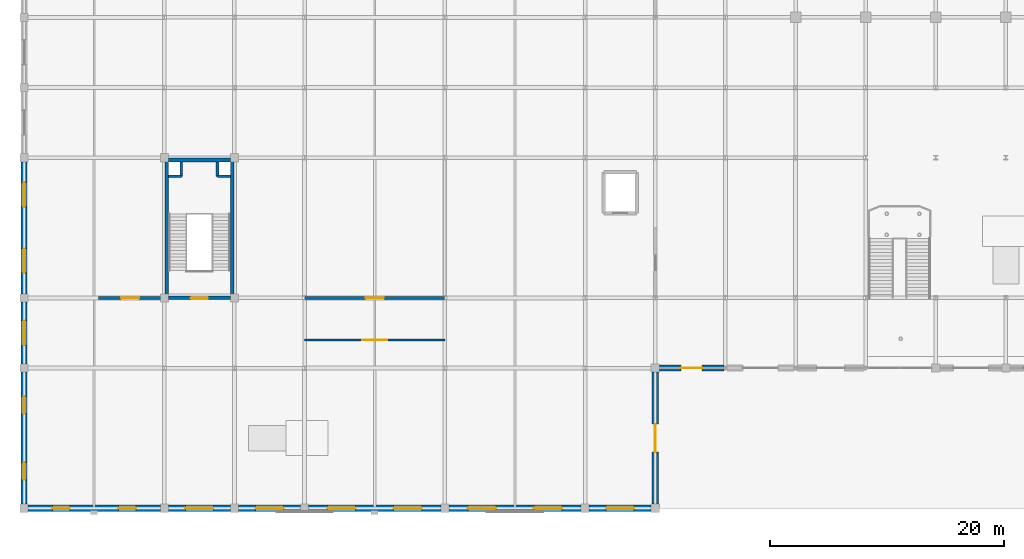
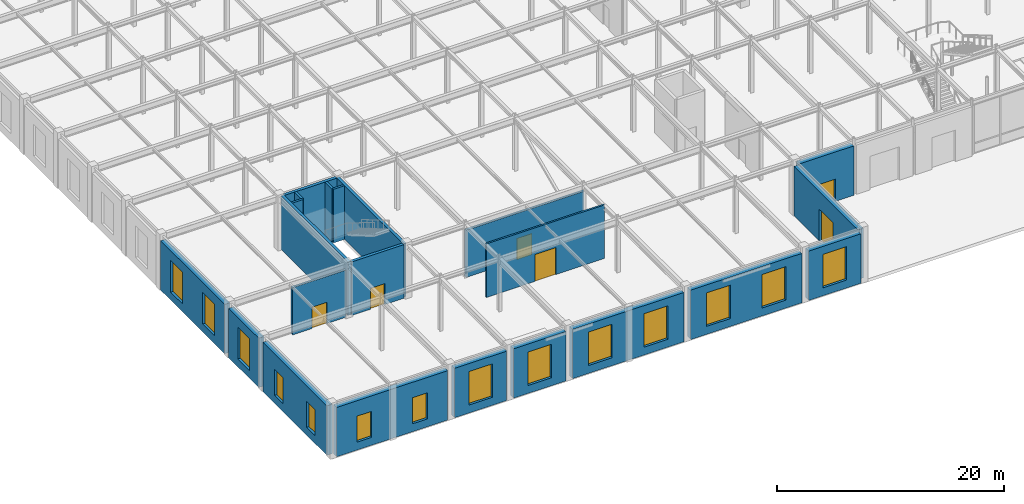
# One storey, part 40 of 51: 22 walls, 14 windows, 6 doors, 20 openings.
"""IFC4 building model written with IfcOpenShell, lengths in metres."""

from ifc_helpers import new_model, si_unit, direction, frame, frame_2d, origin, place, context, subcontext, project, spatial, rectangle, extrude, material, layer, layer_set, type_object, element, fill, save


model = new_model("IFC4")

# Units and contexts
model_context = context("Model", 3, precision=1e-05, world=origin(), true_north=direction((0.0, 1.0)))
body_context = subcontext(model_context, "Body", "Model", "MODEL_VIEW")
ifc_project = project(units=[si_unit("LENGTHUNIT", "METRE"), si_unit("AREAUNIT", "SQUARE_METRE"), si_unit("VOLUMEUNIT", "CUBIC_METRE"), si_unit("PLANEANGLEUNIT", "RADIAN"), si_unit("MASSUNIT", "GRAM", prefix="KILO")], contexts=[model_context])

# Site, building, storey
site_placement = place(None, origin())
site = spatial("IfcSite", under=ifc_project, at=site_placement, CompositionType="ELEMENT")
building_placement = place(site_placement, origin())
building = spatial("IfcBuilding", under=site, at=building_placement, Name="Zlatovratsky Civic Hall", CompositionType="ELEMENT")
storey_placement = place(building_placement, origin())
storey = spatial("IfcBuildingStorey", under=building, at=storey_placement, Name="L01", CompositionType="ELEMENT", Elevation=0.0)

# Wall, opening, door
ifc_material_1 = material(Name="Acoustic ceramic blockwork", Category="masonry")
ifc_layer_1 = layer(ifc_material_1, 0.179931640625)
ifc_layer_set_1 = layer_set([ifc_layer_1], Name="Acoustic ceramic blockwork")
wall_type_1 = type_object("IfcWallType", Name="Wall_AcousticChamberPartition_180", PredefinedType="PARTITIONING", material=ifc_layer_set_1)
wall_1_placement = place(storey_placement, frame((24.0, 14.39990234375, 0.0), z_axis=(0.0, 0.0, 1.0), x_axis=(1.0, 0.0, 0.0)))
wall_1 = element("IfcWall", 1, at=wall_1_placement, inside=storey, type_object=wall_type_1, Name="WL-6068", PredefinedType="PARTITIONING", context=body_context, shape_type="SweptSolid", body=[
    extrude(rectangle(XDim=12.0, YDim=0.179931640625, at=frame_2d((6.0, 0.0))), origin(), (0.0, 0.0, 1.0), 5.760009765625),
])
opening_1_placement = place(wall_1_placement, frame((4.949951171875, 0.0, 0.0)))
opening_1 = element("IfcOpeningElement", 2, at=opening_1_placement, cuts=wall_1, Name="Opening D-11", PredefinedType="OPENING", context=body_context, shape_type="SweptSolid", body=[
    extrude(rectangle(XDim=2.10009765625, YDim=2.89990234375, at=frame_2d((1.050048828125, 1.449951171875))), frame((0.0, 0.10498046875, 0.0), z_axis=(0.0, -1.0, 0.0), x_axis=(1.0, 0.0, 0.0)), (0.0, 0.0, 1.0), 0.209716796875),
])
ifc_material_2 = material(Name="Solid oak joinery in steel frame", Category="steel")
door_type_1 = type_object("IfcDoorType", Name="Door_ChamberFoyerDouble_2100x2900", OperationType="DOUBLE_DOOR_SINGLE_SWING", PredefinedType="DOOR", material=ifc_material_2)
door_1_placement = place(opening_1_placement, origin())
door_1 = element("IfcDoor", 3, at=door_1_placement, inside=storey, type_object=door_type_1, Name="DR-5229", OperationType="DOUBLE_DOOR_SINGLE_SWING", OverallHeight=2.89990234375, OverallWidth=2.10009765625, PredefinedType="DOOR", context=body_context, shape_type="SweptSolid", body=[
    extrude(rectangle(XDim=2.10009765625, YDim=2.89990234375, at=frame_2d((1.050048828125, 1.449951171875))), frame((0.0, 0.02490234375, 0.0), z_axis=(0.0, -1.0, 0.0), x_axis=(1.0, 0.0, 0.0)), (0.0, 0.0, 1.0), 0.050048828125),
])
fill(opening_1, door_1)

ifc_layer_2 = layer(ifc_material_1, 0.260009765625)
ifc_layer_set_2 = layer_set([ifc_layer_2], Name="Acoustic ceramic blockwork")
wall_type_2 = type_object("IfcWallType", Name="Wall_ArchiveCompartment_260", PredefinedType="PARTITIONING", material=ifc_layer_set_2)
wall_2_placement = place(storey_placement, frame((24.0, 18.0, 0.0), z_axis=(0.0, 0.0, 1.0), x_axis=(1.0, 0.0, 0.0)))
wall_2 = element("IfcWall", 4, at=wall_2_placement, inside=storey, type_object=wall_type_2, Name="WL-6074", PredefinedType="PARTITIONING", context=body_context, shape_type="SweptSolid", body=[
    extrude(rectangle(XDim=12.0, YDim=0.260009765625, at=frame_2d((6.0, 0.0))), origin(), (0.0, 0.0, 1.0), 5.076904296875),
])
opening_2_placement = place(wall_2_placement, frame((5.22509765625, 0.0, 0.0)))
opening_2 = element("IfcOpeningElement", 5, at=opening_2_placement, cuts=wall_2, Name="Opening D-15", PredefinedType="OPENING", context=body_context, shape_type="SweptSolid", body=[
    extrude(rectangle(XDim=1.550048828125, YDim=2.300048828125, at=frame_2d((0.77490234375, 1.14990234375))), frame((0.0, 0.14501953125, 0.0), z_axis=(0.0, -1.0, 0.0), x_axis=(1.0, 0.0, 0.0)), (0.0, 0.0, 1.0), 0.289794921875),
])
ifc_material_3 = material(Name="Insulated painted fire-rated steel leaf", Category="steel")
door_type_2 = type_object("IfcDoorType", Name="Door_CompactArchiveFire_1550x2300", OperationType="DOUBLE_DOOR_SINGLE_SWING", PredefinedType="DOOR", material=ifc_material_3)
door_2_placement = place(opening_2_placement, origin())
door_2 = element("IfcDoor", 6, at=door_2_placement, inside=storey, type_object=door_type_2, Name="DR-5235", OperationType="DOUBLE_DOOR_SINGLE_SWING", OverallHeight=2.300048828125, OverallWidth=1.550048828125, PredefinedType="DOOR", context=body_context, shape_type="SweptSolid", body=[
    extrude(rectangle(XDim=1.550048828125, YDim=2.300048828125, at=frame_2d((0.77490234375, 1.14990234375))), frame((0.0, 0.02490234375, 0.0), z_axis=(0.0, -1.0, 0.0), x_axis=(1.0, 0.0, 0.0)), (0.0, 0.0, 1.0), 0.050048828125),
])
fill(opening_2, door_2)

wall_3_placement = place(storey_placement, frame((6.35009765625, 18.0, 0.0), z_axis=(0.0, 0.0, 1.0), x_axis=(1.0, 0.0, 0.0)))
wall_3 = element("IfcWall", 7, at=wall_3_placement, inside=storey, type_object=wall_type_2, Name="WL-6088", PredefinedType="PARTITIONING", context=body_context, shape_type="SweptSolid", body=[
    extrude(rectangle(XDim=5.449951171875, YDim=0.260009765625, at=frame_2d((2.72509765625, 0.0))), origin(), (0.0, 0.0, 1.0), 5.076904296875),
])
opening_3_placement = place(wall_3_placement, frame((1.949951171875, 0.0, 0.0)))
opening_3 = element("IfcOpeningElement", 8, at=opening_3_placement, cuts=wall_3, Name="Opening D-15", PredefinedType="OPENING", context=body_context, shape_type="SweptSolid", body=[
    extrude(rectangle(XDim=1.550048828125, YDim=2.300048828125, at=frame_2d((0.77490234375, 1.14990234375))), frame((0.0, 0.14501953125, 0.0), z_axis=(0.0, -1.0, 0.0), x_axis=(1.0, 0.0, 0.0)), (0.0, 0.0, 1.0), 0.289794921875),
])
door_3_placement = place(opening_3_placement, origin())
door_3 = element("IfcDoor", 9, at=door_3_placement, inside=storey, type_object=door_type_2, Name="DR-5249", OperationType="DOUBLE_DOOR_SINGLE_SWING", OverallHeight=2.300048828125, OverallWidth=1.550048828125, PredefinedType="DOOR", context=body_context, shape_type="SweptSolid", body=[
    extrude(rectangle(XDim=1.550048828125, YDim=2.300048828125, at=frame_2d((0.77490234375, 1.14990234375))), frame((0.0, 0.02490234375, 0.0), z_axis=(0.0, -1.0, 0.0), x_axis=(1.0, 0.0, 0.0)), (0.0, 0.0, 1.0), 0.050048828125),
])
fill(opening_3, door_3)

# Wall, openings, windows
ifc_layer_3 = layer(ifc_material_1, 0.39990234375, Name="Backing")
ifc_material_4 = material(Name="Polished Karelian granite ashlar", Category="masonry")
ifc_layer_4 = layer(ifc_material_4, 0.139892578125, Name="Finish")
ifc_layer_set_3 = layer_set([ifc_layer_3, ifc_layer_4], Name="Acoustic ceramic blockwork")
wall_type_3 = type_object("IfcWallType", Name="Wall_PodiumGraniteArcade_540", PredefinedType="SOLIDWALL", material=ifc_layer_set_3)
wall_4_placement = place(storey_placement, frame((0.35009765625, 0.0, 0.0), z_axis=(0.0, 0.0, 1.0), x_axis=(1.0, 0.0, 0.0)))
wall_4 = element("IfcWall", 10, at=wall_4_placement, inside=storey, type_object=wall_type_3, Name="WL-0082", PredefinedType="SOLIDWALL", context=body_context, shape_type="SweptSolid", body=[
    extrude(rectangle(XDim=11.2998046875, YDim=0.5400390625, at=frame_2d((5.64990234375, 0.0))), origin(), (0.0, 0.0, 1.0), 5.31005859375),
])
opening_4_placement = place(wall_4_placement, frame((2.074951171875, 0.0, 0.85009765625)))
opening_4 = element("IfcOpeningElement", 11, at=opening_4_placement, cuts=wall_4, Name="Opening WN-27", PredefinedType="OPENING", context=body_context, shape_type="SweptSolid", body=[
    extrude(rectangle(XDim=1.5, YDim=2.800048828125, at=frame_2d((0.75, 1.39990234375))), frame((0.0, 0.284912109375, 0.0), z_axis=(0.0, -1.0, 0.0), x_axis=(1.0, 0.0, 0.0)), (0.0, 0.0, 1.0), 0.56982421875),
])
opening_5_placement = place(wall_4_placement, frame((7.72509765625, 0.0, 0.85009765625)))
opening_5 = element("IfcOpeningElement", 12, at=opening_5_placement, cuts=wall_4, Name="Opening WN-27", PredefinedType="OPENING", context=body_context, shape_type="SweptSolid", body=[
    extrude(rectangle(XDim=1.5, YDim=2.800048828125, at=frame_2d((0.75, 1.39990234375))), frame((0.0, 0.284912109375, 0.0), z_axis=(0.0, -1.0, 0.0), x_axis=(1.0, 0.0, 0.0)), (0.0, 0.0, 1.0), 0.56982421875),
])
ifc_material_5 = material(Name="Low-E laminated double glazing", Category="glass")
window_type_1 = type_object("IfcWindowType", Name="Window_CornerBastionPodium_1500x2800", PartitioningType="SINGLE_PANEL", PredefinedType="WINDOW", material=ifc_material_5)
window_1_placement = place(opening_4_placement, origin())
window_1 = element("IfcWindow", 13, at=window_1_placement, inside=storey, type_object=window_type_1, Name="WN-0001", OverallHeight=2.800048828125, OverallWidth=1.5, PartitioningType="SINGLE_PANEL", PredefinedType="WINDOW", context=body_context, shape_type="SweptSolid", body=[
    extrude(rectangle(XDim=1.5, YDim=2.800048828125, at=frame_2d((0.75, 1.39990234375))), frame((0.0, 0.030029296875, 0.0), z_axis=(0.0, -1.0, 0.0), x_axis=(1.0, 0.0, 0.0)), (0.0, 0.0, 1.0), 0.06005859375),
])
fill(opening_4, window_1)
window_2_placement = place(opening_5_placement, origin())
window_2 = element("IfcWindow", 14, at=window_2_placement, inside=storey, type_object=window_type_1, Name="WN-0002", OverallHeight=2.800048828125, OverallWidth=1.5, PartitioningType="SINGLE_PANEL", PredefinedType="WINDOW", context=body_context, shape_type="SweptSolid", body=[
    extrude(rectangle(XDim=1.5, YDim=2.800048828125, at=frame_2d((0.75, 1.39990234375))), frame((0.0, 0.030029296875, 0.0), z_axis=(0.0, -1.0, 0.0), x_axis=(1.0, 0.0, 0.0)), (0.0, 0.0, 1.0), 0.06005859375),
])
fill(opening_5, window_2)

# Wall, opening, window
wall_5_placement = place(storey_placement, frame((12.35009765625, 0.0, 0.0), z_axis=(0.0, 0.0, 1.0), x_axis=(1.0, 0.0, 0.0)))
wall_5 = element("IfcWall", 15, at=wall_5_placement, inside=storey, type_object=wall_type_3, Name="WL-0083", PredefinedType="SOLIDWALL", context=body_context, shape_type="SweptSolid", body=[
    extrude(rectangle(XDim=5.2998046875, YDim=0.5400390625, at=frame_2d((2.64990234375, 0.0))), origin(), (0.0, 0.0, 1.0), 5.31005859375),
])
opening_6_placement = place(wall_5_placement, frame((1.449951171875, 0.0, 0.85009765625)))
opening_6 = element("IfcOpeningElement", 16, at=opening_6_placement, cuts=wall_5, Name="Opening WN-01", PredefinedType="OPENING", context=body_context, shape_type="SweptSolid", body=[
    extrude(rectangle(XDim=2.39990234375, YDim=3.60009765625, at=frame_2d((1.199951171875, 1.800048828125))), frame((0.0, 0.284912109375, 0.0), z_axis=(0.0, -1.0, 0.0), x_axis=(1.0, 0.0, 0.0)), (0.0, 0.0, 1.0), 0.56982421875),
])
window_type_2 = type_object("IfcWindowType", Name="Window_GroundArcadeTall_2400x3600", PartitioningType="SINGLE_PANEL", PredefinedType="WINDOW", material=ifc_material_5)
window_3_placement = place(opening_6_placement, origin())
window_3 = element("IfcWindow", 17, at=window_3_placement, inside=storey, type_object=window_type_2, Name="WN-0003", OverallHeight=3.60009765625, OverallWidth=2.39990234375, PartitioningType="SINGLE_PANEL", PredefinedType="WINDOW", context=body_context, shape_type="SweptSolid", body=[
    extrude(rectangle(XDim=2.39990234375, YDim=3.60009765625, at=frame_2d((1.199951171875, 1.800048828125))), frame((0.0, 0.030029296875, 0.0), z_axis=(0.0, -1.0, 0.0), x_axis=(1.0, 0.0, 0.0)), (0.0, 0.0, 1.0), 0.06005859375),
])
fill(opening_6, window_3)

wall_6_placement = place(storey_placement, frame((18.35009765625, 0.0, 0.0), z_axis=(0.0, 0.0, 1.0), x_axis=(1.0, 0.0, 0.0)))
wall_6 = element("IfcWall", 18, at=wall_6_placement, inside=storey, type_object=wall_type_3, Name="WL-0084", PredefinedType="SOLIDWALL", context=body_context, shape_type="SweptSolid", body=[
    extrude(rectangle(XDim=5.2998046875, YDim=0.5400390625, at=frame_2d((2.64990234375, 0.0))), origin(), (0.0, 0.0, 1.0), 5.31005859375),
])
opening_7_placement = place(wall_6_placement, frame((1.449951171875, 0.0, 0.85009765625)))
opening_7 = element("IfcOpeningElement", 19, at=opening_7_placement, cuts=wall_6, Name="Opening WN-01", PredefinedType="OPENING", context=body_context, shape_type="SweptSolid", body=[
    extrude(rectangle(XDim=2.39990234375, YDim=3.60009765625, at=frame_2d((1.199951171875, 1.800048828125))), frame((0.0, 0.284912109375, 0.0), z_axis=(0.0, -1.0, 0.0), x_axis=(1.0, 0.0, 0.0)), (0.0, 0.0, 1.0), 0.56982421875),
])
window_4_placement = place(opening_7_placement, origin())
window_4 = element("IfcWindow", 20, at=window_4_placement, inside=storey, type_object=window_type_2, Name="WN-0004", OverallHeight=3.60009765625, OverallWidth=2.39990234375, PartitioningType="SINGLE_PANEL", PredefinedType="WINDOW", context=body_context, shape_type="SweptSolid", body=[
    extrude(rectangle(XDim=2.39990234375, YDim=3.60009765625, at=frame_2d((1.199951171875, 1.800048828125))), frame((0.0, 0.030029296875, 0.0), z_axis=(0.0, -1.0, 0.0), x_axis=(1.0, 0.0, 0.0)), (0.0, 0.0, 1.0), 0.06005859375),
])
fill(opening_7, window_4)

# Wall, openings, windows
wall_7_placement = place(storey_placement, frame((24.35009765625, 0.0, 0.0), z_axis=(0.0, 0.0, 1.0), x_axis=(1.0, 0.0, 0.0)))
wall_7 = element("IfcWall", 21, at=wall_7_placement, inside=storey, type_object=wall_type_3, Name="WL-0085", PredefinedType="SOLIDWALL", context=body_context, shape_type="SweptSolid", body=[
    extrude(rectangle(XDim=11.2998046875, YDim=0.5400390625, at=frame_2d((5.64990234375, 0.0))), origin(), (0.0, 0.0, 1.0), 5.31005859375),
])
opening_8_placement = place(wall_7_placement, frame((1.625, 0.0, 0.85009765625)))
opening_8 = element("IfcOpeningElement", 22, at=opening_8_placement, cuts=wall_7, Name="Opening WN-01", PredefinedType="OPENING", context=body_context, shape_type="SweptSolid", body=[
    extrude(rectangle(XDim=2.39990234375, YDim=3.60009765625, at=frame_2d((1.199951171875, 1.800048828125))), frame((0.0, 0.284912109375, 0.0), z_axis=(0.0, -1.0, 0.0), x_axis=(1.0, 0.0, 0.0)), (0.0, 0.0, 1.0), 0.56982421875),
])
opening_9_placement = place(wall_7_placement, frame((7.27490234375, 0.0, 0.85009765625)))
opening_9 = element("IfcOpeningElement", 23, at=opening_9_placement, cuts=wall_7, Name="Opening WN-01", PredefinedType="OPENING", context=body_context, shape_type="SweptSolid", body=[
    extrude(rectangle(XDim=2.39990234375, YDim=3.60009765625, at=frame_2d((1.199951171875, 1.800048828125))), frame((0.0, 0.284912109375, 0.0), z_axis=(0.0, -1.0, 0.0), x_axis=(1.0, 0.0, 0.0)), (0.0, 0.0, 1.0), 0.56982421875),
])
window_5_placement = place(opening_8_placement, origin())
window_5 = element("IfcWindow", 24, at=window_5_placement, inside=storey, type_object=window_type_2, Name="WN-0005", OverallHeight=3.60009765625, OverallWidth=2.39990234375, PartitioningType="SINGLE_PANEL", PredefinedType="WINDOW", context=body_context, shape_type="SweptSolid", body=[
    extrude(rectangle(XDim=2.39990234375, YDim=3.60009765625, at=frame_2d((1.199951171875, 1.800048828125))), frame((0.0, 0.030029296875, 0.0), z_axis=(0.0, -1.0, 0.0), x_axis=(1.0, 0.0, 0.0)), (0.0, 0.0, 1.0), 0.06005859375),
])
fill(opening_8, window_5)
window_6_placement = place(opening_9_placement, origin())
window_6 = element("IfcWindow", 25, at=window_6_placement, inside=storey, type_object=window_type_2, Name="WN-0006", OverallHeight=3.60009765625, OverallWidth=2.39990234375, PartitioningType="SINGLE_PANEL", PredefinedType="WINDOW", context=body_context, shape_type="SweptSolid", body=[
    extrude(rectangle(XDim=2.39990234375, YDim=3.60009765625, at=frame_2d((1.199951171875, 1.800048828125))), frame((0.0, 0.030029296875, 0.0), z_axis=(0.0, -1.0, 0.0), x_axis=(1.0, 0.0, 0.0)), (0.0, 0.0, 1.0), 0.06005859375),
])
fill(opening_9, window_6)

wall_8_placement = place(storey_placement, frame((36.35009765625, 0.0, 0.0), z_axis=(0.0, 0.0, 1.0), x_axis=(1.0, 0.0, 0.0)))
wall_8 = element("IfcWall", 26, at=wall_8_placement, inside=storey, type_object=wall_type_3, Name="WL-0086", PredefinedType="SOLIDWALL", context=body_context, shape_type="SweptSolid", body=[
    extrude(rectangle(XDim=11.2998046875, YDim=0.5400390625, at=frame_2d((5.64990234375, 0.0))), origin(), (0.0, 0.0, 1.0), 5.31005859375),
])
opening_10_placement = place(wall_8_placement, frame((1.625, 0.0, 0.85009765625)))
opening_10 = element("IfcOpeningElement", 27, at=opening_10_placement, cuts=wall_8, Name="Opening WN-01", PredefinedType="OPENING", context=body_context, shape_type="SweptSolid", body=[
    extrude(rectangle(XDim=2.39990234375, YDim=3.60009765625, at=frame_2d((1.199951171875, 1.800048828125))), frame((0.0, 0.284912109375, 0.0), z_axis=(0.0, -1.0, 0.0), x_axis=(1.0, 0.0, 0.0)), (0.0, 0.0, 1.0), 0.56982421875),
])
opening_11_placement = place(wall_8_placement, frame((7.27490234375, 0.0, 0.85009765625)))
opening_11 = element("IfcOpeningElement", 28, at=opening_11_placement, cuts=wall_8, Name="Opening WN-01", PredefinedType="OPENING", context=body_context, shape_type="SweptSolid", body=[
    extrude(rectangle(XDim=2.39990234375, YDim=3.60009765625, at=frame_2d((1.199951171875, 1.800048828125))), frame((0.0, 0.284912109375, 0.0), z_axis=(0.0, -1.0, 0.0), x_axis=(1.0, 0.0, 0.0)), (0.0, 0.0, 1.0), 0.56982421875),
])
window_7_placement = place(opening_10_placement, origin())
window_7 = element("IfcWindow", 29, at=window_7_placement, inside=storey, type_object=window_type_2, Name="WN-0007", OverallHeight=3.60009765625, OverallWidth=2.39990234375, PartitioningType="SINGLE_PANEL", PredefinedType="WINDOW", context=body_context, shape_type="SweptSolid", body=[
    extrude(rectangle(XDim=2.39990234375, YDim=3.60009765625, at=frame_2d((1.199951171875, 1.800048828125))), frame((0.0, 0.030029296875, 0.0), z_axis=(0.0, -1.0, 0.0), x_axis=(1.0, 0.0, 0.0)), (0.0, 0.0, 1.0), 0.06005859375),
])
fill(opening_10, window_7)
window_8_placement = place(opening_11_placement, origin())
window_8 = element("IfcWindow", 30, at=window_8_placement, inside=storey, type_object=window_type_2, Name="WN-0008", OverallHeight=3.60009765625, OverallWidth=2.39990234375, PartitioningType="SINGLE_PANEL", PredefinedType="WINDOW", context=body_context, shape_type="SweptSolid", body=[
    extrude(rectangle(XDim=2.39990234375, YDim=3.60009765625, at=frame_2d((1.199951171875, 1.800048828125))), frame((0.0, 0.030029296875, 0.0), z_axis=(0.0, -1.0, 0.0), x_axis=(1.0, 0.0, 0.0)), (0.0, 0.0, 1.0), 0.06005859375),
])
fill(opening_11, window_8)

# Wall, opening, window
wall_9_placement = place(storey_placement, frame((48.35009765625, 0.0, 0.0), z_axis=(0.0, 0.0, 1.0), x_axis=(1.0, 0.0, 0.0)))
wall_9 = element("IfcWall", 31, at=wall_9_placement, inside=storey, type_object=wall_type_3, Name="WL-0087", PredefinedType="SOLIDWALL", context=body_context, shape_type="SweptSolid", body=[
    extrude(rectangle(XDim=5.2998046875, YDim=0.5400390625, at=frame_2d((2.64990234375, 0.0))), origin(), (0.0, 0.0, 1.0), 5.31005859375),
])
opening_12_placement = place(wall_9_placement, frame((1.449951171875, 0.0, 0.85009765625)))
opening_12 = element("IfcOpeningElement", 32, at=opening_12_placement, cuts=wall_9, Name="Opening WN-01", PredefinedType="OPENING", context=body_context, shape_type="SweptSolid", body=[
    extrude(rectangle(XDim=2.39990234375, YDim=3.60009765625, at=frame_2d((1.199951171875, 1.800048828125))), frame((0.0, 0.284912109375, 0.0), z_axis=(0.0, -1.0, 0.0), x_axis=(1.0, 0.0, 0.0)), (0.0, 0.0, 1.0), 0.56982421875),
])
window_9_placement = place(opening_12_placement, origin())
window_9 = element("IfcWindow", 33, at=window_9_placement, inside=storey, type_object=window_type_2, Name="WN-0009", OverallHeight=3.60009765625, OverallWidth=2.39990234375, PartitioningType="SINGLE_PANEL", PredefinedType="WINDOW", context=body_context, shape_type="SweptSolid", body=[
    extrude(rectangle(XDim=2.39990234375, YDim=3.60009765625, at=frame_2d((1.199951171875, 1.800048828125))), frame((0.0, 0.030029296875, 0.0), z_axis=(0.0, -1.0, 0.0), x_axis=(1.0, 0.0, 0.0)), (0.0, 0.0, 1.0), 0.06005859375),
])
fill(opening_12, window_9)

# Wall, opening, door
wall_10_placement = place(storey_placement, frame((54.0, 0.35009765625, 0.0), z_axis=(0.0, 0.0, 1.0), x_axis=(0.0, 1.0, 0.0)))
wall_10 = element("IfcWall", 34, at=wall_10_placement, inside=storey, type_object=wall_type_3, Name="WL-0094", PredefinedType="SOLIDWALL", context=body_context, shape_type="SweptSolid", body=[
    extrude(rectangle(XDim=11.2998046875, YDim=0.5400390625, at=frame_2d((5.64990234375, 0.0))), origin(), (0.0, 0.0, 1.0), 5.31005859375),
])
opening_13_placement = place(wall_10_placement, frame((4.449951171875, 0.0, 0.0)))
opening_13 = element("IfcOpeningElement", 35, at=opening_13_placement, cuts=wall_10, Name="Opening D-02", PredefinedType="OPENING", context=body_context, shape_type="SweptSolid", body=[
    extrude(rectangle(XDim=2.39990234375, YDim=3.39990234375, at=frame_2d((1.199951171875, 1.699951171875))), frame((0.0, 0.284912109375, 0.0), z_axis=(0.0, -1.0, 0.0), x_axis=(1.0, 0.0, 0.0)), (0.0, 0.0, 1.0), 0.56982421875),
])
ifc_material_6 = material(Name="Monumental cast bronze glazed portal", Category="aluminium")
door_type_3 = type_object("IfcDoorType", Name="Door_PlazaColonnade_2400x3400", OperationType="DOUBLE_DOOR_SINGLE_SWING", PredefinedType="DOOR", material=ifc_material_6)
door_4_placement = place(opening_13_placement, origin())
door_4 = element("IfcDoor", 36, at=door_4_placement, inside=storey, type_object=door_type_3, Name="DR-0004", OperationType="DOUBLE_DOOR_SINGLE_SWING", OverallHeight=3.39990234375, OverallWidth=2.39990234375, PredefinedType="DOOR", context=body_context, shape_type="SweptSolid", body=[
    extrude(rectangle(XDim=2.39990234375, YDim=3.39990234375, at=frame_2d((1.199951171875, 1.699951171875))), frame((0.0, 0.02490234375, 0.0), z_axis=(0.0, -1.0, 0.0), x_axis=(1.0, 0.0, 0.0)), (0.0, 0.0, 1.0), 0.050048828125),
])
fill(opening_13, door_4)

wall_11_placement = place(storey_placement, frame((54.35009765625, 12.0, 0.0), z_axis=(0.0, 0.0, 1.0), x_axis=(1.0, 0.0, 0.0)))
wall_11 = element("IfcWall", 37, at=wall_11_placement, inside=storey, type_object=wall_type_3, Name="WL-0096", PredefinedType="SOLIDWALL", context=body_context, shape_type="SweptSolid", body=[
    extrude(rectangle(XDim=5.513427734375, YDim=0.5400390625, at=frame_2d((2.7568359375, 0.0))), origin(), (0.0, 0.0, 1.0), 5.31005859375),
])
opening_14_placement = place(wall_11_placement, frame((1.85693359375, 0.0, 0.0)))
opening_14 = element("IfcOpeningElement", 38, at=opening_14_placement, cuts=wall_11, Name="Opening D-05", PredefinedType="OPENING", context=body_context, shape_type="SweptSolid", body=[
    extrude(rectangle(XDim=1.800048828125, YDim=2.39990234375, at=frame_2d((0.89990234375, 1.199951171875))), frame((0.0, 0.284912109375, 0.0), z_axis=(0.0, -1.0, 0.0), x_axis=(1.0, 0.0, 0.0)), (0.0, 0.0, 1.0), 0.56982421875),
])
door_type_4 = type_object("IfcDoorType", Name="Door_GroundExitDischarge_1800x2400", OperationType="DOUBLE_DOOR_SINGLE_SWING", PredefinedType="DOOR", material=ifc_material_3)
door_5_placement = place(opening_14_placement, origin())
door_5 = element("IfcDoor", 39, at=door_5_placement, inside=storey, type_object=door_type_4, Name="DR-0006", OperationType="DOUBLE_DOOR_SINGLE_SWING", OverallHeight=2.39990234375, OverallWidth=1.800048828125, PredefinedType="DOOR", context=body_context, shape_type="SweptSolid", body=[
    extrude(rectangle(XDim=1.800048828125, YDim=2.39990234375, at=frame_2d((0.89990234375, 1.199951171875))), frame((0.0, 0.02490234375, 0.0), z_axis=(0.0, -1.0, 0.0), x_axis=(1.0, 0.0, 0.0)), (0.0, 0.0, 1.0), 0.050048828125),
])
fill(opening_14, door_5)

# Wall, openings, windows
wall_12_placement = place(storey_placement, frame((0.0, 0.35009765625, 0.0), z_axis=(0.0, 0.0, 1.0), x_axis=(0.0, 1.0, 0.0)))
wall_12 = element("IfcWall", 40, at=wall_12_placement, inside=storey, type_object=wall_type_3, Name="WL-0133", PredefinedType="SOLIDWALL", context=body_context, shape_type="SweptSolid", body=[
    extrude(rectangle(XDim=11.2998046875, YDim=0.5400390625, at=frame_2d((5.64990234375, 0.0))), origin(), (0.0, 0.0, 1.0), 5.31005859375),
])
opening_15_placement = place(wall_12_placement, frame((2.074951171875, 0.0, 0.85009765625)))
opening_15 = element("IfcOpeningElement", 41, at=opening_15_placement, cuts=wall_12, Name="Opening WN-27", PredefinedType="OPENING", context=body_context, shape_type="SweptSolid", body=[
    extrude(rectangle(XDim=1.5, YDim=2.800048828125, at=frame_2d((0.75, 1.39990234375))), frame((0.0, 0.284912109375, 0.0), z_axis=(0.0, -1.0, 0.0), x_axis=(1.0, 0.0, 0.0)), (0.0, 0.0, 1.0), 0.56982421875),
])
opening_16_placement = place(wall_12_placement, frame((7.72509765625, 0.0, 0.85009765625)))
opening_16 = element("IfcOpeningElement", 42, at=opening_16_placement, cuts=wall_12, Name="Opening WN-27", PredefinedType="OPENING", context=body_context, shape_type="SweptSolid", body=[
    extrude(rectangle(XDim=1.5, YDim=2.800048828125, at=frame_2d((0.75, 1.39990234375))), frame((0.0, 0.284912109375, 0.0), z_axis=(0.0, -1.0, 0.0), x_axis=(1.0, 0.0, 0.0)), (0.0, 0.0, 1.0), 0.56982421875),
])
window_10_placement = place(opening_15_placement, origin())
window_10 = element("IfcWindow", 43, at=window_10_placement, inside=storey, type_object=window_type_1, Name="WN-0039", OverallHeight=2.800048828125, OverallWidth=1.5, PartitioningType="SINGLE_PANEL", PredefinedType="WINDOW", context=body_context, shape_type="SweptSolid", body=[
    extrude(rectangle(XDim=1.5, YDim=2.800048828125, at=frame_2d((0.75, 1.39990234375))), frame((0.0, 0.030029296875, 0.0), z_axis=(0.0, -1.0, 0.0), x_axis=(1.0, 0.0, 0.0)), (0.0, 0.0, 1.0), 0.06005859375),
])
fill(opening_15, window_10)
window_11_placement = place(opening_16_placement, origin())
window_11 = element("IfcWindow", 44, at=window_11_placement, inside=storey, type_object=window_type_1, Name="WN-0040", OverallHeight=2.800048828125, OverallWidth=1.5, PartitioningType="SINGLE_PANEL", PredefinedType="WINDOW", context=body_context, shape_type="SweptSolid", body=[
    extrude(rectangle(XDim=1.5, YDim=2.800048828125, at=frame_2d((0.75, 1.39990234375))), frame((0.0, 0.030029296875, 0.0), z_axis=(0.0, -1.0, 0.0), x_axis=(1.0, 0.0, 0.0)), (0.0, 0.0, 1.0), 0.06005859375),
])
fill(opening_16, window_11)

# Wall, opening, window
wall_13_placement = place(storey_placement, frame((0.0, 12.35009765625, 0.0), z_axis=(0.0, 0.0, 1.0), x_axis=(0.0, 1.0, 0.0)))
wall_13 = element("IfcWall", 45, at=wall_13_placement, inside=storey, type_object=wall_type_3, Name="WL-0134", PredefinedType="SOLIDWALL", context=body_context, shape_type="SweptSolid", body=[
    extrude(rectangle(XDim=5.2998046875, YDim=0.5400390625, at=frame_2d((2.64990234375, 0.0))), origin(), (0.0, 0.0, 1.0), 5.31005859375),
])
opening_17_placement = place(wall_13_placement, frame((1.60009765625, 0.0, 0.85009765625)))
opening_17 = element("IfcOpeningElement", 46, at=opening_17_placement, cuts=wall_13, Name="Opening WN-02", PredefinedType="OPENING", context=body_context, shape_type="SweptSolid", body=[
    extrude(rectangle(XDim=2.10009765625, YDim=3.39990234375, at=frame_2d((1.050048828125, 1.699951171875))), frame((0.0, 0.284912109375, 0.0), z_axis=(0.0, -1.0, 0.0), x_axis=(1.0, 0.0, 0.0)), (0.0, 0.0, 1.0), 0.56982421875),
])
window_type_3 = type_object("IfcWindowType", Name="Window_GroundCornerPavilion_2100x3400", PartitioningType="SINGLE_PANEL", PredefinedType="WINDOW", material=ifc_material_5)
window_12_placement = place(opening_17_placement, origin())
window_12 = element("IfcWindow", 47, at=window_12_placement, inside=storey, type_object=window_type_3, Name="WN-0041", OverallHeight=3.39990234375, OverallWidth=2.10009765625, PartitioningType="SINGLE_PANEL", PredefinedType="WINDOW", context=body_context, shape_type="SweptSolid", body=[
    extrude(rectangle(XDim=2.10009765625, YDim=3.39990234375, at=frame_2d((1.050048828125, 1.699951171875))), frame((0.0, 0.030029296875, 0.0), z_axis=(0.0, -1.0, 0.0), x_axis=(1.0, 0.0, 0.0)), (0.0, 0.0, 1.0), 0.06005859375),
])
fill(opening_17, window_12)

# Wall, openings, windows
wall_14_placement = place(storey_placement, frame((0.0, 18.35009765625, 0.0), z_axis=(0.0, 0.0, 1.0), x_axis=(0.0, 1.0, 0.0)))
wall_14 = element("IfcWall", 48, at=wall_14_placement, inside=storey, type_object=wall_type_3, Name="WL-0135", PredefinedType="SOLIDWALL", context=body_context, shape_type="SweptSolid", body=[
    extrude(rectangle(XDim=11.2998046875, YDim=0.5400390625, at=frame_2d((5.64990234375, 0.0))), origin(), (0.0, 0.0, 1.0), 5.31005859375),
])
opening_18_placement = place(wall_14_placement, frame((1.77490234375, 0.0, 0.85009765625)))
opening_18 = element("IfcOpeningElement", 49, at=opening_18_placement, cuts=wall_14, Name="Opening WN-02", PredefinedType="OPENING", context=body_context, shape_type="SweptSolid", body=[
    extrude(rectangle(XDim=2.10009765625, YDim=3.39990234375, at=frame_2d((1.050048828125, 1.699951171875))), frame((0.0, 0.284912109375, 0.0), z_axis=(0.0, -1.0, 0.0), x_axis=(1.0, 0.0, 0.0)), (0.0, 0.0, 1.0), 0.56982421875),
])
opening_19_placement = place(wall_14_placement, frame((7.425048828125, 0.0, 0.85009765625)))
opening_19 = element("IfcOpeningElement", 50, at=opening_19_placement, cuts=wall_14, Name="Opening WN-02", PredefinedType="OPENING", context=body_context, shape_type="SweptSolid", body=[
    extrude(rectangle(XDim=2.10009765625, YDim=3.39990234375, at=frame_2d((1.050048828125, 1.699951171875))), frame((0.0, 0.284912109375, 0.0), z_axis=(0.0, -1.0, 0.0), x_axis=(1.0, 0.0, 0.0)), (0.0, 0.0, 1.0), 0.56982421875),
])
window_13_placement = place(opening_18_placement, origin())
window_13 = element("IfcWindow", 51, at=window_13_placement, inside=storey, type_object=window_type_3, Name="WN-0042", OverallHeight=3.39990234375, OverallWidth=2.10009765625, PartitioningType="SINGLE_PANEL", PredefinedType="WINDOW", context=body_context, shape_type="SweptSolid", body=[
    extrude(rectangle(XDim=2.10009765625, YDim=3.39990234375, at=frame_2d((1.050048828125, 1.699951171875))), frame((0.0, 0.030029296875, 0.0), z_axis=(0.0, -1.0, 0.0), x_axis=(1.0, 0.0, 0.0)), (0.0, 0.0, 1.0), 0.06005859375),
])
fill(opening_18, window_13)
window_14_placement = place(opening_19_placement, origin())
window_14 = element("IfcWindow", 52, at=window_14_placement, inside=storey, type_object=window_type_3, Name="WN-0043", OverallHeight=3.39990234375, OverallWidth=2.10009765625, PartitioningType="SINGLE_PANEL", PredefinedType="WINDOW", context=body_context, shape_type="SweptSolid", body=[
    extrude(rectangle(XDim=2.10009765625, YDim=3.39990234375, at=frame_2d((1.050048828125, 1.699951171875))), frame((0.0, 0.030029296875, 0.0), z_axis=(0.0, -1.0, 0.0), x_axis=(1.0, 0.0, 0.0)), (0.0, 0.0, 1.0), 0.06005859375),
])
fill(opening_19, window_14)

# Walls
ifc_layer_5 = layer(ifc_material_1, 0.219970703125)
ifc_layer_set_4 = layer_set([ifc_layer_5], Name="Acoustic ceramic blockwork")
wall_type_4 = type_object("IfcWallType", Name="Wall_SanitaryWetCore_220", PredefinedType="PARTITIONING", material=ifc_layer_set_4)
wall_15_placement = place(storey_placement, frame((13.449951171875, 28.39990234375, 0.0), z_axis=(0.0, 0.0, 1.0), x_axis=(0.0, 1.0, 0.0)))
element("IfcWall", 53, at=wall_15_placement, inside=storey, type_object=wall_type_4, Name="WL-5321", PredefinedType="PARTITIONING", context=body_context, shape_type="SweptSolid", body=[
    extrude(rectangle(XDim=1.25, YDim=0.219970703125, at=frame_2d((0.625, 0.0))), origin(), (0.0, 0.0, 1.0), 5.760009765625),
])
wall_16_placement = place(storey_placement, frame((12.35009765625, 28.39990234375, 0.0), z_axis=(0.0, 0.0, 1.0), x_axis=(1.0, 0.0, 0.0)))
element("IfcWall", 54, at=wall_16_placement, inside=storey, type_object=wall_type_4, Name="WL-5322", PredefinedType="PARTITIONING", context=body_context, shape_type="SweptSolid", body=[
    extrude(rectangle(XDim=1.099853515625, YDim=0.219970703125, at=frame_2d((0.5498046875, 0.0))), origin(), (0.0, 0.0, 1.0), 5.760009765625),
])
wall_17_placement = place(storey_placement, frame((16.550048828125, 28.39990234375, 0.0), z_axis=(0.0, 0.0, 1.0), x_axis=(0.0, 1.0, 0.0)))
element("IfcWall", 55, at=wall_17_placement, inside=storey, type_object=wall_type_4, Name="WL-5323", PredefinedType="PARTITIONING", context=body_context, shape_type="SweptSolid", body=[
    extrude(rectangle(XDim=1.25, YDim=0.219970703125, at=frame_2d((0.625, 0.0))), origin(), (0.0, 0.0, 1.0), 5.760009765625),
])
wall_18_placement = place(storey_placement, frame((16.550048828125, 28.39990234375, 0.0), z_axis=(0.0, 0.0, 1.0), x_axis=(1.0, 0.0, 0.0)))
element("IfcWall", 56, at=wall_18_placement, inside=storey, type_object=wall_type_4, Name="WL-5324", PredefinedType="PARTITIONING", context=body_context, shape_type="SweptSolid", body=[
    extrude(rectangle(XDim=1.099853515625, YDim=0.219970703125, at=frame_2d((0.5498046875, 0.0))), origin(), (0.0, 0.0, 1.0), 5.760009765625),
])

# Wall, opening, door
ifc_material_7 = material(Name="Concrete C35/45 (B40)", Category="concrete")
ifc_layer_6 = layer(ifc_material_7, 0.300048828125)
ifc_layer_set_5 = layer_set([ifc_layer_6], Name="Concrete C35/45 (B40)")
wall_type_5 = type_object("IfcWallType", Name="Wall_StairAndLiftShaft_300", PredefinedType="SHEAR", material=ifc_layer_set_5)
wall_19_placement = place(storey_placement, frame((12.35009765625, 18.0, 0.0), z_axis=(0.0, 0.0, 1.0), x_axis=(1.0, 0.0, 0.0)))
wall_19 = element("IfcWall", 57, at=wall_19_placement, inside=storey, type_object=wall_type_5, Name="WL-5317", PredefinedType="SHEAR", context=body_context, shape_type="SweptSolid", body=[
    extrude(rectangle(XDim=5.2998046875, YDim=0.300048828125, at=frame_2d((2.64990234375, 0.0))), origin(), (0.0, 0.0, 1.0), 5.760009765625),
])
opening_20_placement = place(wall_19_placement, frame((1.925048828125, 0.0, 0.0)))
opening_20 = element("IfcOpeningElement", 58, at=opening_20_placement, cuts=wall_19, Name="Opening D-16", PredefinedType="OPENING", context=body_context, shape_type="SweptSolid", body=[
    extrude(rectangle(XDim=1.449951171875, YDim=2.25, at=frame_2d((0.72509765625, 1.125))), frame((0.0, 0.1650390625, 0.0), z_axis=(0.0, -1.0, 0.0), x_axis=(1.0, 0.0, 0.0)), (0.0, 0.0, 1.0), 0.329833984375),
])
door_type_5 = type_object("IfcDoorType", Name="Door_StairwellFirePodium_1450x2250", OperationType="NOTDEFINED", PredefinedType="DOOR", material=ifc_material_3)
door_6_placement = place(opening_20_placement, origin())
door_6 = element("IfcDoor", 59, at=door_6_placement, inside=storey, type_object=door_type_5, Name="DR-5040", OperationType="SINGLE_SWING_LEFT", OverallHeight=2.25, OverallWidth=1.449951171875, PredefinedType="DOOR", context=body_context, shape_type="SweptSolid", body=[
    extrude(rectangle(XDim=1.449951171875, YDim=2.25, at=frame_2d((0.72509765625, 1.125))), frame((0.0, 0.02490234375, 0.0), z_axis=(0.0, -1.0, 0.0), x_axis=(1.0, 0.0, 0.0)), (0.0, 0.0, 1.0), 0.050048828125),
])
fill(opening_20, door_6)

# Walls
wall_20_placement = place(storey_placement, frame((12.35009765625, 29.800048828125, 0.0), z_axis=(0.0, 0.0, 1.0), x_axis=(1.0, 0.0, 0.0)))
element("IfcWall", 60, at=wall_20_placement, inside=storey, type_object=wall_type_5, Name="WL-5318", PredefinedType="SHEAR", context=body_context, shape_type="SweptSolid", body=[
    extrude(rectangle(XDim=5.2998046875, YDim=0.300048828125, at=frame_2d((2.64990234375, 0.0))), origin(), (0.0, 0.0, 1.0), 5.760009765625),
])
for number, where, z_axis, x_axis, name in (
    (61, (12.199951171875, 18.0, 0.0), (0.0, 0.0, 1.0), (0.0, 1.0, 0.0), "WL-5319"),
    (62, (17.800048828125, 18.0, 0.0), (0.0, 0.0, 1.0), (0.0, 1.0, 0.0), "WL-5320"),
):
    element("IfcWall", number, at=place(storey_placement, frame(where, z_axis=z_axis, x_axis=x_axis)), inside=storey, type_object=wall_type_5, Name=name, PredefinedType="SHEAR", context=body_context, shape_type="SweptSolid", body=[
        extrude(rectangle(XDim=11.800048828125, YDim=0.300048828125, at=frame_2d((5.89990234375, 0.0))), origin(), (0.0, 0.0, 1.0), 5.760009765625),
    ])

save(model, "model.ifc")
